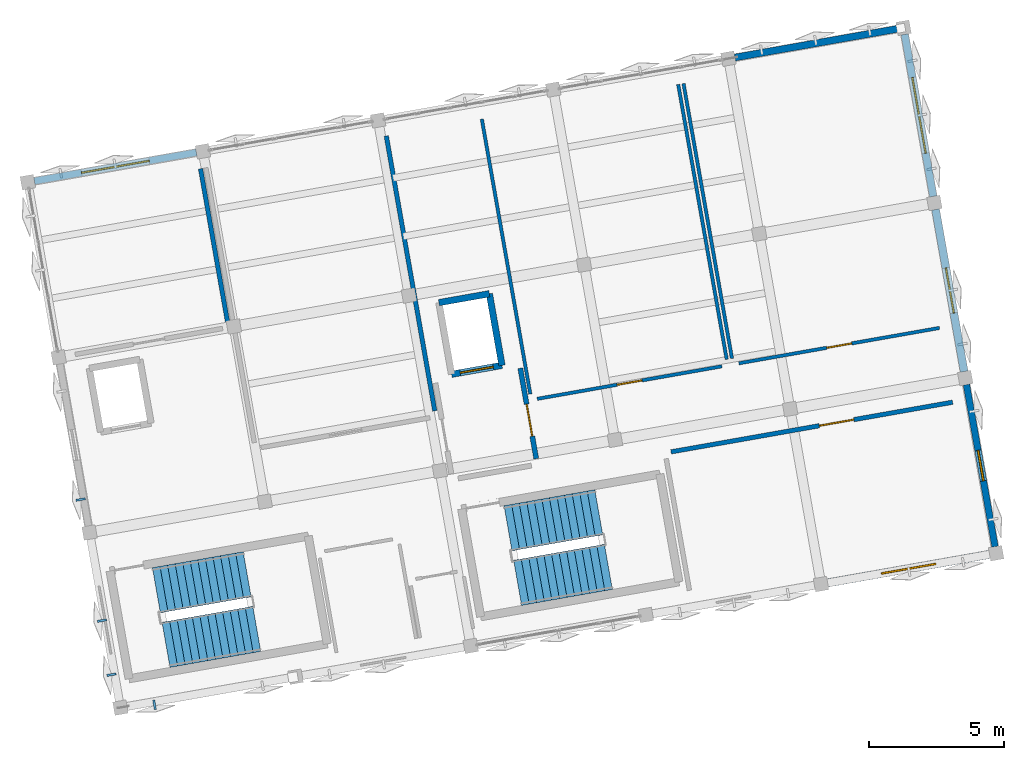
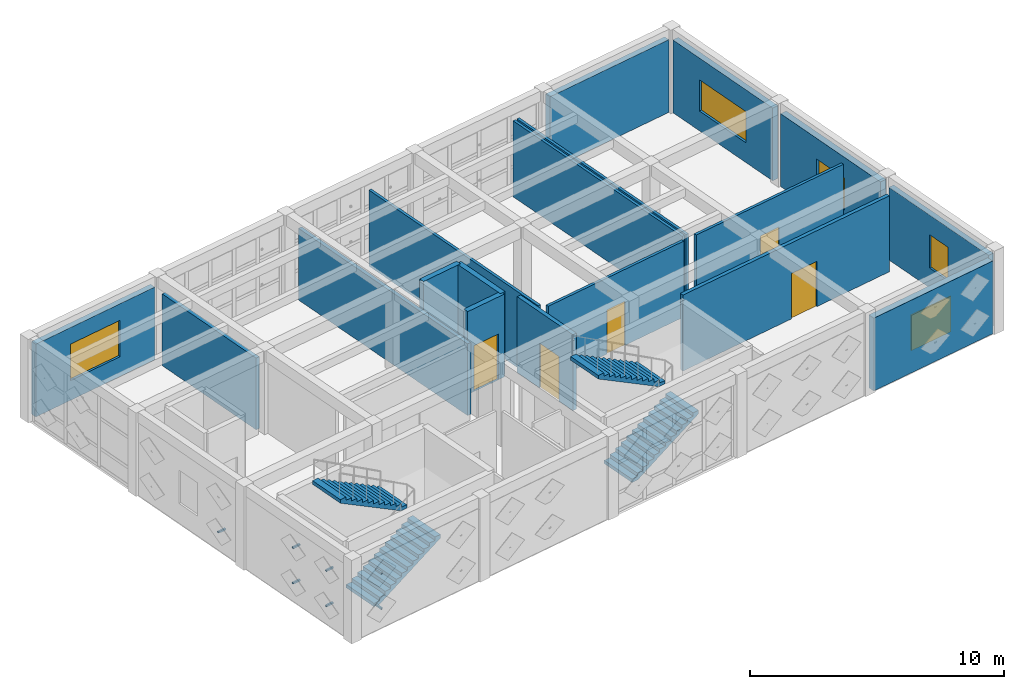
# One storey, part 12 of 15: 18 walls, 7 discrete accessories, 5 doors, 5 windows, 4 stair flights, 10 openings, 2 elements without a shape of their own.
"""IFC4 building model written with IfcOpenShell, lengths in metres."""

from ifc_helpers import new_model, si_unit, direction, frame, frame_2d, origin, origin_2d, place, context, subcontext, project, spatial, polyline, rectangle, hollow_rectangle, outline, extrude, material, layer, layer_set, type_object, element, fill, aggregate, save


model = new_model("IFC4")

# Units and contexts
model_context = context("Model", 3, precision=1e-05, world=origin(), true_north=direction((0.0, 1.0)))
body_context = subcontext(model_context, "Body", "Model", "MODEL_VIEW")
ifc_project = project(units=[si_unit("LENGTHUNIT", "METRE"), si_unit("AREAUNIT", "SQUARE_METRE"), si_unit("VOLUMEUNIT", "CUBIC_METRE"), si_unit("PLANEANGLEUNIT", "RADIAN"), si_unit("MASSUNIT", "GRAM", prefix="KILO")], contexts=[model_context])

# Site, building, storey
site_placement = place(None, origin())
site = spatial("IfcSite", under=ifc_project, at=site_placement, CompositionType="ELEMENT")
building_placement = place(site_placement, origin())
building = spatial("IfcBuilding", under=site, at=building_placement, Name="Kharisveld Research Institute", CompositionType="ELEMENT")
storey_placement = place(building_placement, frame((0.0, 0.0, 40.800048828125)))
storey = spatial("IfcBuildingStorey", under=building, at=storey_placement, Name="L09", CompositionType="ELEMENT", Elevation=40.800048828125)

# Walls
ifc_material_1 = material(Name="Concrete C40/50", Category="concrete")
ifc_layer_1 = layer(ifc_material_1, 0.239990234375)
ifc_layer_set_1 = layer_set([ifc_layer_1], Name="WL_CORE_240")
wall_type_1 = type_object("IfcWallType", Name="WL_CORE_240", PredefinedType="SHEAR", material=ifc_layer_set_1)
wall_1_placement = place(storey_placement, frame((17.01953125, 50.040771484375, 0.0), z_axis=(0.0, 0.0, 1.0), x_axis=(0.984815882103, 0.173602068988, 0.0)))
element("IfcWall", 1, at=wall_1_placement, inside=storey, type_object=wall_type_1, Name="WL:LFT:FFL-01:L09:N", PredefinedType="SHEAR", context=body_context, shape_type="SweptSolid", body=[
    extrude(rectangle(XDim=1.89990234375, YDim=0.239990234375, at=frame_2d((0.949951171875, 0.0))), origin(), (0.0, 0.0, 1.0), 3.97998046875),
])
wall_2_placement = place(storey_placement, frame((18.890625, 50.37060546875, 0.0), z_axis=(0.0, 0.0, 1.0), x_axis=(0.173615102578, -0.98481358447, 0.0)))
element("IfcWall", 2, at=wall_2_placement, inside=storey, type_object=wall_type_1, Name="WL:LFT:FFL-01:L09:E", PredefinedType="SHEAR", context=body_context, shape_type="SweptSolid", body=[
    extrude(rectangle(XDim=2.699951171875, YDim=0.239990234375, at=frame_2d((1.35009765625, 0.0))), origin(), (0.0, 0.0, 1.0), 3.97998046875),
])

# Wall, opening, door
wall_3_placement = place(storey_placement, frame((19.359375, 47.711669921875, 0.0), z_axis=(0.0, 0.0, 1.0), x_axis=(-0.984815882103, -0.173602068988, 0.0)))
wall_3 = element("IfcWall", 3, at=wall_3_placement, inside=storey, type_object=wall_type_1, Name="WL:LFT:FFL-01:L09:S", PredefinedType="SHEAR", context=body_context, shape_type="SweptSolid", body=[
    extrude(rectangle(XDim=1.89990234375, YDim=0.239990234375, at=frame_2d((0.949951171875, 0.0))), origin(), (0.0, 0.0, 1.0), 3.97998046875),
])
opening_1_placement = place(wall_3_placement, frame((0.324951171875, 0.0, 0.0)))
opening_1 = element("IfcOpeningElement", 4, at=opening_1_placement, cuts=wall_3, Name="Opening LD-02", PredefinedType="OPENING", context=body_context, shape_type="SweptSolid", body=[
    extrude(rectangle(XDim=1.25, YDim=2.199951171875, at=frame_2d((0.625, 1.10009765625))), frame((0.0, 0.1201171875, 0.0), z_axis=(0.0, -1.0, 0.0), x_axis=(1.0, 0.0, 0.0)), (0.0, 0.0, 1.0), 0.239990234375),
])
ifc_material_2 = material(Name="Flush Painted Hardwood and Anodised Aluminium", Category="wood")
door_type_1 = type_object("IfcDoorType", Name="DR_LFT_125", OperationType="SLIDING_TO_RIGHT", PredefinedType="DOOR", material=ifc_material_2)
door_1_placement = place(opening_1_placement, origin())
door_1 = element("IfcDoor", 5, at=door_1_placement, inside=storey, type_object=door_type_1, Name="FFL-01 Lift Landing Door L09", OperationType="SLIDING_TO_RIGHT", OverallHeight=2.199951171875, OverallWidth=1.25, PredefinedType="DOOR", context=body_context, shape_type="SweptSolid", body=[
    extrude(rectangle(XDim=1.25, YDim=2.199951171875, at=frame_2d((0.625, 1.10009765625))), frame((0.0, 0.02490234375, 0.0), z_axis=(0.0, -1.0, 0.0), x_axis=(1.0, 0.0, 0.0)), (0.0, 0.0, 1.0), 0.050048828125),
])
fill(opening_1, door_1)

# Wall, opening, window
ifc_material_3 = material(Name="Lightweight Acoustic Spandrel", Category="mineral")
ifc_layer_2 = layer(ifc_material_3, 0.2451171875)
ifc_layer_set_2 = layer_set([ifc_layer_2], Name="WL_EXT_245")
wall_type_2 = type_object("IfcWallType", Name="WL_EXT_245", PredefinedType="STANDARD", material=ifc_layer_set_2)
wall_4_placement = place(storey_placement, frame((36.59521484375, 46.998779296875, 0.0), z_axis=(0.0, 0.0, 1.0), x_axis=(0.173618927794, -0.984812910106, 0.0)))
wall_4 = element("IfcWall", 6, at=wall_4_placement, inside=storey, type_object=wall_type_2, Name="WL:V1:L09:E1", PredefinedType="STANDARD", context=body_context, shape_type="SweptSolid", body=[
    extrude(rectangle(XDim=6.10986328125, YDim=0.2451171875, at=frame_2d((3.054931640625, 0.0))), origin(), (0.0, 0.0, 1.0), 3.494873046875),
])
opening_2_placement = place(wall_4_placement, frame((2.47998046875, 0.0, 0.949951171875)))
opening_2 = element("IfcOpeningElement", 7, at=opening_2_placement, cuts=wall_4, Name="Opening WN-16", PredefinedType="OPENING", context=body_context, shape_type="SweptSolid", body=[
    extrude(rectangle(XDim=1.14990234375, YDim=1.60009765625, at=frame_2d((0.574951171875, 0.800048828125))), frame((0.0, 0.12255859375, 0.0), z_axis=(0.0, -1.0, 0.0), x_axis=(1.0, 0.0, 0.0)), (0.0, 0.0, 1.0), 0.2451171875),
])
ifc_material_4 = material(Name="Low-E Double Glazing", Category="glass")
window_type_1 = type_object("IfcWindowType", Name="WN_16", PartitioningType="SINGLE_PANEL", PredefinedType="WINDOW", material=ifc_material_4)
window_1_placement = place(opening_2_placement, origin())
window_1 = element("IfcWindow", 8, at=window_1_placement, inside=storey, type_object=window_type_1, Name="WN:V1:L09:E1", OverallHeight=1.60009765625, OverallWidth=1.14990234375, PartitioningType="SINGLE_PANEL", PredefinedType="WINDOW", context=body_context, shape_type="SweptSolid", body=[
    extrude(rectangle(XDim=1.14990234375, YDim=1.60009765625, at=frame_2d((0.574951171875, 0.800048828125))), frame((0.0, 0.030029296875, 0.0), z_axis=(0.0, -1.0, 0.0), x_axis=(1.0, 0.0, 0.0)), (0.0, 0.0, 1.0), 0.06005859375),
])
fill(opening_2, window_1)

ifc_material_5 = material(Name="Precast Concrete C40/50 Thermal Wall", Category="concrete")
ifc_layer_3 = layer(ifc_material_5, 0.260009765625)
ifc_layer_set_3 = layer_set([ifc_layer_3], Name="WL_EXT_260")
wall_type_3 = type_object("IfcWallType", Name="WL_EXT_260", PredefinedType="STANDARD", material=ifc_layer_set_3)
wall_5_placement = place(storey_placement, frame((2.0029296875, 54.5517578125, 0.0), z_axis=(0.0, 0.0, 1.0), x_axis=(0.984807282173, 0.173650847905, 0.0)))
wall_5 = element("IfcWall", 9, at=wall_5_placement, inside=storey, type_object=wall_type_3, Name="WL:V1:L09:N0", PredefinedType="STANDARD", context=body_context, shape_type="SweptSolid", body=[
    extrude(rectangle(XDim=6.110107421875, YDim=0.260009765625, at=frame_2d((3.05517578125, 0.0))), origin(), (0.0, 0.0, 1.0), 3.494873046875),
])
opening_3_placement = place(wall_5_placement, frame((1.780029296875, 0.0, 0.949951171875)))
opening_3 = element("IfcOpeningElement", 10, at=opening_3_placement, cuts=wall_5, Name="Opening WN-15", PredefinedType="OPENING", context=body_context, shape_type="SweptSolid", body=[
    extrude(rectangle(XDim=2.550048828125, YDim=1.75, at=frame_2d((1.27490234375, 0.875))), frame((0.0, 0.1298828125, 0.0), z_axis=(0.0, -1.0, 0.0), x_axis=(1.0, 0.0, 0.0)), (0.0, 0.0, 1.0), 0.260009765625),
])
ifc_material_6 = material(Name="Low-E Double Glazing", Category="glass")
window_type_2 = type_object("IfcWindowType", Name="WN_15", PartitioningType="TRIPLE_PANEL_VERTICAL", PredefinedType="WINDOW", material=ifc_material_6)
window_2_placement = place(opening_3_placement, origin())
window_2 = element("IfcWindow", 11, at=window_2_placement, inside=storey, type_object=window_type_2, Name="WN:V1:L09:N0", OverallHeight=1.75, OverallWidth=2.550048828125, PartitioningType="SINGLE_PANEL", PredefinedType="WINDOW", context=body_context, shape_type="SweptSolid", body=[
    extrude(rectangle(XDim=2.550048828125, YDim=1.75, at=frame_2d((1.27490234375, 0.875))), frame((0.0, 0.030029296875, 0.0), z_axis=(0.0, -1.0, 0.0), x_axis=(1.0, 0.0, 0.0)), (0.0, 0.0, 1.0), 0.06005859375),
])
fill(opening_3, window_2)

# Wall
wall_6_placement = place(storey_placement, frame((28.001953125, 59.135986328125, 0.0), z_axis=(0.0, 0.0, 1.0), x_axis=(0.98480607723, 0.173657681232, 0.0)))
element("IfcWall", 12, at=wall_6_placement, inside=storey, type_object=wall_type_3, Name="WL:V1:L09:N4", PredefinedType="STANDARD", context=body_context, shape_type="SweptSolid", body=[
    extrude(rectangle(XDim=6.10986328125, YDim=0.260009765625, at=frame_2d((3.054931640625, 0.0))), origin(), (0.0, 0.0, 1.0), 3.494873046875),
])

# Wall, opening, window
ifc_material_7 = material(Name="Precast Concrete C40/50 Thermal Wall", Category="concrete")
ifc_layer_4 = layer(ifc_material_7, 0.27490234375)
ifc_layer_set_4 = layer_set([ifc_layer_4], Name="WL_EXT_275")
wall_type_4 = type_object("IfcWallType", Name="WL_EXT_275", PredefinedType="STANDARD", material=ifc_layer_set_4)
wall_7_placement = place(storey_placement, frame((34.302978515625, 59.998291015625, 0.0), z_axis=(0.0, 0.0, 1.0), x_axis=(0.173657681232, -0.98480607723, 0.0)))
wall_7 = element("IfcWall", 13, at=wall_7_placement, inside=storey, type_object=wall_type_4, Name="WL:V1:L09:E3", PredefinedType="STANDARD", context=body_context, shape_type="SweptSolid", body=[
    extrude(rectangle(XDim=6.10986328125, YDim=0.27490234375, at=frame_2d((3.054931640625, 0.0))), origin(), (0.0, 0.0, 1.0), 3.494873046875),
])
opening_4_placement = place(wall_7_placement, frame((1.6298828125, 0.0, 0.949951171875)))
opening_4 = element("IfcOpeningElement", 14, at=opening_4_placement, cuts=wall_7, Name="Opening WN-18", PredefinedType="OPENING", context=body_context, shape_type="SweptSolid", body=[
    extrude(rectangle(XDim=2.85009765625, YDim=1.5, at=frame_2d((1.425048828125, 0.75))), frame((0.0, 0.137451171875, 0.0), z_axis=(0.0, -1.0, 0.0), x_axis=(1.0, 0.0, 0.0)), (0.0, 0.0, 1.0), 0.27490234375),
])
ifc_material_8 = material(Name="Low-E Double Glazing", Category="glass")
window_type_3 = type_object("IfcWindowType", Name="WN_18", PartitioningType="TRIPLE_PANEL_VERTICAL", PredefinedType="WINDOW", material=ifc_material_8)
window_3_placement = place(opening_4_placement, origin())
window_3 = element("IfcWindow", 15, at=window_3_placement, inside=storey, type_object=window_type_3, Name="WN:V1:L09:E3", OverallHeight=1.5, OverallWidth=2.85009765625, PartitioningType="SINGLE_PANEL", PredefinedType="WINDOW", context=body_context, shape_type="SweptSolid", body=[
    extrude(rectangle(XDim=2.85009765625, YDim=1.5, at=frame_2d((1.425048828125, 0.75))), frame((0.0, 0.030029296875, 0.0), z_axis=(0.0, -1.0, 0.0), x_axis=(1.0, 0.0, 0.0)), (0.0, 0.0, 1.0), 0.06005859375),
])
fill(opening_4, window_3)

ifc_material_9 = material(Name="Precast Concrete C40/50 Thermal Wall", Category="concrete")
ifc_layer_5 = layer(ifc_material_9, 0.2900390625)
ifc_layer_set_5 = layer_set([ifc_layer_5], Name="WL_EXT_290")
wall_type_5 = type_object("IfcWallType", Name="WL_EXT_290", PredefinedType="STANDARD", material=ifc_layer_set_5)
wall_8_placement = place(storey_placement, frame((35.448974609375, 53.49853515625, 0.0), z_axis=(0.0, 0.0, 1.0), x_axis=(0.173657681232, -0.98480607723, 0.0)))
wall_8 = element("IfcWall", 16, at=wall_8_placement, inside=storey, type_object=wall_type_5, Name="WL:V1:L09:E2", PredefinedType="STANDARD", context=body_context, shape_type="SweptSolid", body=[
    extrude(rectangle(XDim=6.10986328125, YDim=0.2900390625, at=frame_2d((3.054931640625, 0.0))), origin(), (0.0, 0.0, 1.0), 3.494873046875),
])
opening_5_placement = place(wall_8_placement, frame((2.205078125, 0.0, 0.949951171875)))
opening_5 = element("IfcOpeningElement", 17, at=opening_5_placement, cuts=wall_8, Name="Opening WN-17", PredefinedType="OPENING", context=body_context, shape_type="SweptSolid", body=[
    extrude(rectangle(XDim=1.699951171875, YDim=1.550048828125, at=frame_2d((0.85009765625, 0.77490234375))), frame((0.0, 0.14501953125, 0.0), z_axis=(0.0, -1.0, 0.0), x_axis=(1.0, 0.0, 0.0)), (0.0, 0.0, 1.0), 0.2900390625),
])
ifc_material_10 = material(Name="Low-E Double Glazing", Category="glass")
window_type_4 = type_object("IfcWindowType", Name="WN_17", PartitioningType="DOUBLE_PANEL_VERTICAL", PredefinedType="WINDOW", material=ifc_material_10)
window_4_placement = place(opening_5_placement, origin())
window_4 = element("IfcWindow", 18, at=window_4_placement, inside=storey, type_object=window_type_4, Name="WN:V1:L09:E2", OverallHeight=1.550048828125, OverallWidth=1.699951171875, PartitioningType="SINGLE_PANEL", PredefinedType="WINDOW", context=body_context, shape_type="SweptSolid", body=[
    extrude(rectangle(XDim=1.699951171875, YDim=1.550048828125, at=frame_2d((0.85009765625, 0.77490234375))), frame((0.0, 0.030029296875, 0.0), z_axis=(0.0, -1.0, 0.0), x_axis=(1.0, 0.0, 0.0)), (0.0, 0.0, 1.0), 0.06005859375),
])
fill(opening_5, window_4)

ifc_material_11 = material(Name="Precast Concrete C40/50 Ochre Panel", Category="concrete")
ifc_layer_6 = layer(ifc_material_11, 0.304931640625)
ifc_layer_set_6 = layer_set([ifc_layer_6], Name="WL_EXT_305")
wall_type_6 = type_object("IfcWallType", Name="WL_EXT_305", PredefinedType="STANDARD", material=ifc_layer_set_6)
wall_9_placement = place(storey_placement, frame((37.457275390625, 40.69775390625, 0.0), z_axis=(0.0, 0.0, 1.0), x_axis=(-0.984812910106, -0.173618927794, 0.0)))
wall_9 = element("IfcWall", 19, at=wall_9_placement, inside=storey, type_object=wall_type_6, Name="WL:V1:L09:S5", PredefinedType="STANDARD", context=body_context, shape_type="SweptSolid", body=[
    extrude(rectangle(XDim=6.10986328125, YDim=0.304931640625, at=frame_2d((3.054931640625, 0.0))), origin(), (0.0, 0.0, 1.0), 3.494873046875),
])
opening_6_placement = place(wall_9_placement, frame((2.030029296875, 0.0, 0.949951171875)))
opening_6 = element("IfcOpeningElement", 20, at=opening_6_placement, cuts=wall_9, Name="Opening WN-20", PredefinedType="OPENING", context=body_context, shape_type="SweptSolid", body=[
    extrude(rectangle(XDim=2.050048828125, YDim=1.699951171875, at=frame_2d((1.02490234375, 0.85009765625))), frame((0.0, 0.15234375, 0.0), z_axis=(0.0, -1.0, 0.0), x_axis=(1.0, 0.0, 0.0)), (0.0, 0.0, 1.0), 0.304931640625),
])
ifc_material_12 = material(Name="Low-E Double Glazing", Category="glass")
window_type_5 = type_object("IfcWindowType", Name="WN_20", PartitioningType="DOUBLE_PANEL_VERTICAL", PredefinedType="WINDOW", material=ifc_material_12)
window_5_placement = place(opening_6_placement, origin())
window_5 = element("IfcWindow", 21, at=window_5_placement, inside=storey, type_object=window_type_5, Name="WN:V1:L09:S5", OverallHeight=1.699951171875, OverallWidth=2.050048828125, PartitioningType="SINGLE_PANEL", PredefinedType="WINDOW", context=body_context, shape_type="SweptSolid", body=[
    extrude(rectangle(XDim=2.050048828125, YDim=1.699951171875, at=frame_2d((1.02490234375, 0.85009765625))), frame((0.0, 0.030029296875, 0.0), z_axis=(0.0, -1.0, 0.0), x_axis=(1.0, 0.0, 0.0)), (0.0, 0.0, 1.0), 0.06005859375),
])
fill(opening_6, window_5)

# Walls
ifc_material_13 = material(Name="Acoustic Drywall Partition", Category="mineral")
ifc_layer_7 = layer(ifc_material_13, 0.1650390625)
ifc_layer_set_7 = layer_set([ifc_layer_7], Name="WL_LAB_165")
wall_type_7 = type_object("IfcWallType", Name="WL_LAB_165", PredefinedType="PARTITIONING", material=ifc_layer_set_7)
wall_10_placement = place(storey_placement, frame((9.17236328125, 49.33740234375, 0.0), z_axis=(0.0, 0.0, 1.0), x_axis=(-0.173649928941, 0.984807444214, 0.0)))
element("IfcWall", 22, at=wall_10_placement, inside=storey, type_object=wall_type_7, Name="WL:RM:V1:L09:NW9:E", PredefinedType="PARTITIONING", context=body_context, shape_type="SweptSolid", body=[
    extrude(rectangle(XDim=5.760009765625, YDim=0.1650390625, at=frame_2d((2.8798828125, 0.0))), origin(), (0.0, 0.0, 1.0), 3.445068359375),
])
wall_11_placement = place(storey_placement, frame((16.86474609375, 46.02294921875, 0.0), z_axis=(0.0, 0.0, 1.0), x_axis=(-0.173632075677, 0.984810592092, 0.0)))
element("IfcWall", 23, at=wall_11_placement, inside=storey, type_object=wall_type_7, Name="WL:RM:V1:L09:DL9A:E", PredefinedType="PARTITIONING", context=body_context, shape_type="SweptSolid", body=[
    extrude(rectangle(XDim=10.360107421875, YDim=0.1650390625, at=frame_2d((5.18017578125, 0.0))), origin(), (0.0, 0.0, 1.0), 3.445068359375),
])

# Wall, opening, door
wall_12_placement = place(storey_placement, frame((36.080810546875, 46.3447265625, 0.0), z_axis=(0.0, 0.0, 1.0), x_axis=(-0.984805557657, -0.173660627684, 0.0)))
wall_12 = element("IfcWall", 24, at=wall_12_placement, inside=storey, type_object=wall_type_7, Name="WL:RM:V1:L09:SEM9:N", PredefinedType="PARTITIONING", context=body_context, shape_type="SweptSolid", body=[
    extrude(rectangle(XDim=10.60986328125, YDim=0.1650390625, at=frame_2d((5.304931640625, 0.0))), origin(), (0.0, 0.0, 1.0), 3.64990234375),
])
opening_7_placement = place(wall_12_placement, frame((3.72412109375, 0.0, 0.0)))
opening_7 = element("IfcOpeningElement", 25, at=opening_7_placement, cuts=wall_12, Name="Opening DI-158", PredefinedType="OPENING", context=body_context, shape_type="SweptSolid", body=[
    extrude(rectangle(XDim=1.300048828125, YDim=2.179931640625, at=frame_2d((0.64990234375, 1.08984375))), frame((0.0, 0.08251953125, 0.0), z_axis=(0.0, -1.0, 0.0), x_axis=(1.0, 0.0, 0.0)), (0.0, 0.0, 1.0), 0.1650390625),
])
ifc_material_14 = material(Name="Flush Painted Hardwood and Anodised Aluminium", Category="wood")
door_type_2 = type_object("IfcDoorType", Name="DR_SEM_130", OperationType="DOUBLE_DOOR_SINGLE_SWING", PredefinedType="DOOR", material=ifc_material_14)
door_2_placement = place(opening_7_placement, origin())
door_2 = element("IfcDoor", 26, at=door_2_placement, inside=storey, type_object=door_type_2, Name="DR:RM:V1:L09:SEM9:N", OperationType="DOUBLE_DOOR_SINGLE_SWING", OverallHeight=2.179931640625, OverallWidth=1.300048828125, PredefinedType="DOOR", context=body_context, shape_type="SweptSolid", body=[
    extrude(rectangle(XDim=1.300048828125, YDim=2.179931640625, at=frame_2d((0.64990234375, 1.08984375))), frame((0.0, 0.02490234375, 0.0), z_axis=(0.0, -1.0, 0.0), x_axis=(1.0, 0.0, 0.0)), (0.0, 0.0, 1.0), 0.050048828125),
])
fill(opening_7, door_2)

ifc_material_15 = material(Name="Masonry Blockwork", Category="masonry")
ifc_layer_8 = layer(ifc_material_15, 0.18505859375)
ifc_layer_set_8 = layer_set([ifc_layer_8], Name="WL_LOB_185")
wall_type_8 = type_object("IfcWallType", Name="WL_LOB_185", PredefinedType="SOLIDWALL", material=ifc_layer_set_8)
wall_13_placement = place(storey_placement, frame((20.6298828125, 44.249755859375, 0.0), z_axis=(0.0, 0.0, 1.0), x_axis=(-0.173621956536, 0.984812376145, 0.0)))
wall_13 = element("IfcWall", 27, at=wall_13_placement, inside=storey, type_object=wall_type_8, Name="WL:RM:V1:L09:FFL:E", PredefinedType="SOLIDWALL", context=body_context, shape_type="SweptSolid", body=[
    extrude(rectangle(XDim=3.409912109375, YDim=0.18505859375, at=frame_2d((1.705078125, 0.0))), origin(), (0.0, 0.0, 1.0), 3.64990234375),
])
opening_8_placement = place(wall_13_placement, frame((0.85009765625, 0.0, 0.0)))
opening_8 = element("IfcOpeningElement", 28, at=opening_8_placement, cuts=wall_13, Name="Opening DI-150", PredefinedType="OPENING", context=body_context, shape_type="SweptSolid", body=[
    extrude(rectangle(XDim=1.199951171875, YDim=2.14990234375, at=frame_2d((0.60009765625, 1.074951171875))), frame((0.0, 0.092529296875, 0.0), z_axis=(0.0, -1.0, 0.0), x_axis=(1.0, 0.0, 0.0)), (0.0, 0.0, 1.0), 0.18505859375),
])
ifc_material_16 = material(Name="Flush Painted Hardwood and Anodised Aluminium", Category="wood")
door_type_3 = type_object("IfcDoorType", Name="DR_FD120_120", OperationType="NOTDEFINED", PredefinedType="DOOR", material=ifc_material_16)
door_3_placement = place(opening_8_placement, origin())
door_3 = element("IfcDoor", 29, at=door_3_placement, inside=storey, type_object=door_type_3, Name="DR:RM:V1:L09:FFL:E", OperationType="SINGLE_SWING_RIGHT", OverallHeight=2.14990234375, OverallWidth=1.199951171875, PredefinedType="DOOR", context=body_context, shape_type="SweptSolid", body=[
    extrude(rectangle(XDim=1.199951171875, YDim=2.14990234375, at=frame_2d((0.60009765625, 1.074951171875))), frame((0.0, 0.02490234375, 0.0), z_axis=(0.0, -1.0, 0.0), x_axis=(1.0, 0.0, 0.0)), (0.0, 0.0, 1.0), 0.050048828125),
])
fill(opening_8, door_3)

ifc_material_17 = material(Name="Insulated Stud Partition", Category="mineral")
ifc_layer_9 = layer(ifc_material_17, 0.125)
ifc_layer_set_9 = layer_set([ifc_layer_9], Name="WL_OFF_125")
wall_type_9 = type_object("IfcWallType", Name="WL_OFF_125", PredefinedType="PARTITIONING", material=ifc_layer_set_9)
wall_14_placement = place(storey_placement, frame((20.6650390625, 46.469482421875, 0.0), z_axis=(0.0, 0.0, 1.0), x_axis=(0.984804033539, 0.173669270527, 0.0)))
wall_14 = element("IfcWall", 30, at=wall_14_placement, inside=storey, type_object=wall_type_9, Name="WL:RM:V1:L09:WU9A:S", PredefinedType="PARTITIONING", context=body_context, shape_type="SweptSolid", body=[
    extrude(rectangle(XDim=6.9599609375, YDim=0.125, at=frame_2d((3.47998046875, 0.0))), origin(), (0.0, 0.0, 1.0), 3.64990234375),
])
opening_9_placement = place(wall_14_placement, frame((3.010009765625, 0.0, 0.0)))
opening_9 = element("IfcOpeningElement", 31, at=opening_9_placement, cuts=wall_14, Name="Opening DI-156", PredefinedType="OPENING", context=body_context, shape_type="SweptSolid", body=[
    extrude(rectangle(XDim=0.93994140625, YDim=2.1201171875, at=frame_2d((0.469970703125, 1.06005859375))), frame((0.0, 0.0625, 0.0), z_axis=(0.0, -1.0, 0.0), x_axis=(1.0, 0.0, 0.0)), (0.0, 0.0, 1.0), 0.125),
])
ifc_material_18 = material(Name="Flush Painted Hardwood and Anodised Aluminium", Category="wood")
door_type_4 = type_object("IfcDoorType", Name="DR_OFF_094", OperationType="NOTDEFINED", PredefinedType="DOOR", material=ifc_material_18)
door_4_placement = place(opening_9_placement, origin())
door_4 = element("IfcDoor", 32, at=door_4_placement, inside=storey, type_object=door_type_4, Name="DR:RM:V1:L09:WU9A:S", OperationType="SINGLE_SWING_RIGHT", OverallHeight=2.1201171875, OverallWidth=0.93994140625, PredefinedType="DOOR", context=body_context, shape_type="SweptSolid", body=[
    extrude(rectangle(XDim=0.93994140625, YDim=2.1201171875, at=frame_2d((0.469970703125, 1.06005859375))), frame((0.0, 0.02490234375, 0.0), z_axis=(0.0, -1.0, 0.0), x_axis=(1.0, 0.0, 0.0)), (0.0, 0.0, 1.0), 0.050048828125),
])
fill(opening_9, door_4)

# Walls
for number, where, z_axis, x_axis, name in (
    (33, (27.69775390625, 47.93310546875, 0.0), (0.0, 0.0, 1.0), (-0.173654930775, 0.984806562233, 0.0), "WL:RM:V1:L09:WU9A:E"),
    (34, (18.611083984375, 56.8505859375, 0.0), (0.0, 0.0, 1.0), (0.173654930775, -0.984806562233, 0.0), "WL:RM:V1:L09:WU9A:W"),
):
    element("IfcWall", number, at=place(storey_placement, frame(where, z_axis=z_axis, x_axis=x_axis)), inside=storey, type_object=wall_type_9, Name=name, PredefinedType="PARTITIONING", context=body_context, shape_type="SweptSolid", body=[
        extrude(rectangle(XDim=10.360107421875, YDim=0.125, at=frame_2d((5.18017578125, 0.0))), origin(), (0.0, 0.0, 1.0), 3.64990234375),
    ])

# Wall, opening, door
wall_15_placement = place(storey_placement, frame((28.149658203125, 47.789306640625, 0.0), z_axis=(0.0, 0.0, 1.0), x_axis=(0.984808257094, 0.173645318852, 0.0)))
wall_15 = element("IfcWall", 35, at=wall_15_placement, inside=storey, type_object=wall_type_9, Name="WL:RM:V1:L09:PIO9:S", PredefinedType="PARTITIONING", context=body_context, shape_type="SweptSolid", body=[
    extrude(rectangle(XDim=7.559814453125, YDim=0.125, at=frame_2d((3.77978515625, 0.0))), origin(), (0.0, 0.0, 1.0), 3.64990234375),
])
opening_10_placement = place(wall_15_placement, frame((3.31005859375, 0.0, 0.0)))
opening_10 = element("IfcOpeningElement", 36, at=opening_10_placement, cuts=wall_15, Name="Opening DI-157", PredefinedType="OPENING", context=body_context, shape_type="SweptSolid", body=[
    extrude(rectangle(XDim=0.93994140625, YDim=2.1201171875, at=frame_2d((0.469970703125, 1.06005859375))), frame((0.0, 0.0625, 0.0), z_axis=(0.0, -1.0, 0.0), x_axis=(1.0, 0.0, 0.0)), (0.0, 0.0, 1.0), 0.125),
])
door_5_placement = place(opening_10_placement, origin())
door_5 = element("IfcDoor", 37, at=door_5_placement, inside=storey, type_object=door_type_4, Name="DR:RM:V1:L09:PIO9:S", OperationType="SINGLE_SWING_LEFT", OverallHeight=2.1201171875, OverallWidth=0.93994140625, PredefinedType="DOOR", context=body_context, shape_type="SweptSolid", body=[
    extrude(rectangle(XDim=0.93994140625, YDim=2.1201171875, at=frame_2d((0.469970703125, 1.06005859375))), frame((0.0, 0.02490234375, 0.0), z_axis=(0.0, -1.0, 0.0), x_axis=(1.0, 0.0, 0.0)), (0.0, 0.0, 1.0), 0.050048828125),
])
fill(opening_10, door_5)

# Wall
wall_16_placement = place(storey_placement, frame((26.095703125, 58.17041015625, 0.0), z_axis=(0.0, 0.0, 1.0), x_axis=(0.173654930775, -0.984806562233, 0.0)))
element("IfcWall", 38, at=wall_16_placement, inside=storey, type_object=wall_type_9, Name="WL:RM:V1:L09:PIO9:W", PredefinedType="PARTITIONING", context=body_context, shape_type="SweptSolid", body=[
    extrude(rectangle(XDim=10.360107421875, YDim=0.125, at=frame_2d((5.18017578125, 0.0))), origin(), (0.0, 0.0, 1.0), 3.64990234375),
])

# Stair, stair flights
ifc_material_19 = material(Name="Concrete C40/50", Category="concrete")
stair_type = type_object("IfcStairType", Name="ST_EXIT_170", PredefinedType="TWO_STRAIGHT_RUN_STAIR", material=ifc_material_19)
stair_1_placement = place(storey_placement, origin())
stair_1 = element("IfcStair", 39, at=stair_1_placement, inside=storey, type_object=stair_type, Name="STR:ST1:L09", PredefinedType="TWO_STRAIGHT_RUN_STAIR")
ifc_material_20 = material(Name="Concrete C40/50", Category="concrete")
stair_flight_type = type_object("IfcStairFlightType", Name="SF_RUN_170", PredefinedType="STRAIGHT", material=ifc_material_20)
stair_flight_1_placement = place(storey_placement, frame((6.891357421875, 37.339111328125, 0.0), z_axis=(0.0, 0.0, 1.0), x_axis=(0.984807753012, 0.173648177667, 0.0)))
stair_flight_1 = element("IfcStairFlight", 40, at=stair_flight_1_placement, type_object=stair_flight_type, Name="ST-01 flight 1", NumberOfRisers=13, NumberOfTreads=12, PredefinedType="STRAIGHT", RiserHeight=0.161538, TreadLength=0.285, context=body_context, shape_type="SweptSolid", body=[
    extrude(outline(polyline([(0.0, 0.0), (0.0, 0.16162109375), (0.284912109375, 0.16162109375), (0.284912109375, 0.322998046875), (0.570068359375, 0.322998046875), (0.570068359375, 0.484619140625), (0.85498046875, 0.484619140625), (0.85498046875, 0.646240234375), (1.139892578125, 0.646240234375), (1.139892578125, 0.8076171875), (1.425048828125, 0.8076171875), (1.425048828125, 0.96923828125), (1.7099609375, 0.96923828125), (1.7099609375, 1.130859375), (1.9951171875, 1.130859375), (1.9951171875, 1.292236328125), (2.280029296875, 1.292236328125), (2.280029296875, 1.453857421875), (2.56494140625, 1.453857421875), (2.56494140625, 1.615478515625), (2.85009765625, 1.615478515625), (2.85009765625, 1.77685546875), (3.135009765625, 1.77685546875), (3.135009765625, 1.9384765625), (3.419921875, 1.9384765625), (3.419921875, 2.10009765625), (3.419921875, 1.76611328125), (0.303955078125, 0.0), (0.0, 0.0)])), frame((0.0, 0.85009765625, 0.0), z_axis=(0.0, -1.0, 0.0), x_axis=(1.0, 0.0, 0.0)), (0.0, 0.0, 1.0), 1.699951171875),
])
stair_flight_2_placement = place(storey_placement, frame((9.901611328125, 39.961669921875, 2.099853515625), z_axis=(0.0, 0.0, 1.0), x_axis=(-0.984807753012, -0.173648177667, 0.0)))
stair_flight_2 = element("IfcStairFlight", 41, at=stair_flight_2_placement, type_object=stair_flight_type, Name="ST-01 flight 2", NumberOfRisers=13, NumberOfTreads=12, PredefinedType="STRAIGHT", RiserHeight=0.161538, TreadLength=0.285, context=body_context, shape_type="SweptSolid", body=[
    extrude(outline(polyline([(0.0, 0.0), (0.0, 0.16162109375), (0.284912109375, 0.16162109375), (0.284912109375, 0.322998046875), (0.570068359375, 0.322998046875), (0.570068359375, 0.484619140625), (0.85498046875, 0.484619140625), (0.85498046875, 0.646240234375), (1.139892578125, 0.646240234375), (1.139892578125, 0.8076171875), (1.425048828125, 0.8076171875), (1.425048828125, 0.96923828125), (1.7099609375, 0.96923828125), (1.7099609375, 1.130859375), (1.9951171875, 1.130859375), (1.9951171875, 1.292236328125), (2.280029296875, 1.292236328125), (2.280029296875, 1.453857421875), (2.56494140625, 1.453857421875), (2.56494140625, 1.615478515625), (2.85009765625, 1.615478515625), (2.85009765625, 1.77685546875), (3.135009765625, 1.77685546875), (3.135009765625, 1.9384765625), (3.419921875, 1.9384765625), (3.419921875, 2.10009765625), (3.419921875, 1.76611328125), (0.303955078125, 0.0), (0.0, 0.0)])), frame((0.0, 0.85009765625, 0.0), z_axis=(0.0, -1.0, 0.0), x_axis=(1.0, 0.0, 0.0)), (0.0, 0.0, 1.0), 1.699951171875),
])
aggregate(stair_1, [stair_flight_1, stair_flight_2])

stair_2_placement = place(storey_placement, origin())
stair_2 = element("IfcStair", 42, at=stair_2_placement, inside=storey, type_object=stair_type, Name="STR:ST2:L09", PredefinedType="TWO_STRAIGHT_RUN_STAIR")
stair_flight_3_placement = place(storey_placement, frame((19.93994140625, 39.639892578125, 0.0), z_axis=(0.0, 0.0, 1.0), x_axis=(0.984807753012, 0.173648177667, 0.0)))
stair_flight_3 = element("IfcStairFlight", 43, at=stair_flight_3_placement, type_object=stair_flight_type, Name="ST-02 flight 1", NumberOfRisers=13, NumberOfTreads=12, PredefinedType="STRAIGHT", RiserHeight=0.161538, TreadLength=0.285, context=body_context, shape_type="SweptSolid", body=[
    extrude(outline(polyline([(0.0, 0.0), (0.0, 0.16162109375), (0.284912109375, 0.16162109375), (0.284912109375, 0.322998046875), (0.570068359375, 0.322998046875), (0.570068359375, 0.484619140625), (0.85498046875, 0.484619140625), (0.85498046875, 0.646240234375), (1.139892578125, 0.646240234375), (1.139892578125, 0.8076171875), (1.425048828125, 0.8076171875), (1.425048828125, 0.96923828125), (1.7099609375, 0.96923828125), (1.7099609375, 1.130859375), (1.9951171875, 1.130859375), (1.9951171875, 1.292236328125), (2.280029296875, 1.292236328125), (2.280029296875, 1.453857421875), (2.56494140625, 1.453857421875), (2.56494140625, 1.615478515625), (2.85009765625, 1.615478515625), (2.85009765625, 1.77685546875), (3.135009765625, 1.77685546875), (3.135009765625, 1.9384765625), (3.419921875, 1.9384765625), (3.419921875, 2.10009765625), (3.419921875, 1.76611328125), (0.303955078125, 0.0), (0.0, 0.0)])), frame((0.0, 0.85009765625, 0.0), z_axis=(0.0, -1.0, 0.0), x_axis=(1.0, 0.0, 0.0)), (0.0, 0.0, 1.0), 1.699951171875),
])
stair_flight_4_placement = place(storey_placement, frame((22.9501953125, 42.262451171875, 2.099853515625), z_axis=(0.0, 0.0, 1.0), x_axis=(-0.984807753012, -0.173648177667, 0.0)))
stair_flight_4 = element("IfcStairFlight", 44, at=stair_flight_4_placement, type_object=stair_flight_type, Name="ST-02 flight 2", NumberOfRisers=13, NumberOfTreads=12, PredefinedType="STRAIGHT", RiserHeight=0.161538, TreadLength=0.285, context=body_context, shape_type="SweptSolid", body=[
    extrude(outline(polyline([(0.0, 0.0), (0.0, 0.16162109375), (0.284912109375, 0.16162109375), (0.284912109375, 0.322998046875), (0.570068359375, 0.322998046875), (0.570068359375, 0.484619140625), (0.85498046875, 0.484619140625), (0.85498046875, 0.646240234375), (1.139892578125, 0.646240234375), (1.139892578125, 0.8076171875), (1.425048828125, 0.8076171875), (1.425048828125, 0.96923828125), (1.7099609375, 0.96923828125), (1.7099609375, 1.130859375), (1.9951171875, 1.130859375), (1.9951171875, 1.292236328125), (2.280029296875, 1.292236328125), (2.280029296875, 1.453857421875), (2.56494140625, 1.453857421875), (2.56494140625, 1.615478515625), (2.85009765625, 1.615478515625), (2.85009765625, 1.77685546875), (3.135009765625, 1.77685546875), (3.135009765625, 1.9384765625), (3.419921875, 1.9384765625), (3.419921875, 2.10009765625), (3.419921875, 1.76611328125), (0.303955078125, 0.0), (0.0, 0.0)])), frame((0.0, 0.85009765625, 0.0), z_axis=(0.0, -1.0, 0.0), x_axis=(1.0, 0.0, 0.0)), (0.0, 0.0, 1.0), 1.699951171875),
])
aggregate(stair_2, [stair_flight_3, stair_flight_4])

# Discrete accessories
ifc_material_21 = material(Name="Steel S355JR", Category="steel")
discrete_accessory_type = type_object("IfcDiscreteAccessoryType", Name="BKT_ST_260", PredefinedType="BRACKET")
for number, where, z_axis, x_axis, name in (
    (45, (5.039794921875, 36.2646484375, 1.050048828125), (-0.984804615622, -0.173665969752, 0.0), (0.173665969752, -0.984804615622, 0.0), "BKT-SHD:V1:L09:W0:S0C0"),
    (46, (5.039794921875, 36.2646484375, 2.75), (-0.984804615622, -0.173665969752, 0.0), (0.173665969752, -0.984804615622, 0.0), "BKT-SHD:V1:L09:W0:S0C1"),
    (47, (4.68603515625, 38.270263671875, 1.050048828125), (-0.984804615622, -0.173665969752, 0.0), (0.173665969752, -0.984804615622, 0.0), "BKT-SHD:V1:L09:W0:S1C0"),
    (48, (4.68603515625, 38.270263671875, 2.75), (-0.984804615622, -0.173665969752, 0.0), (0.173665969752, -0.984804615622, 0.0), "BKT-SHD:V1:L09:W0:S1C1"),
):
    element("IfcDiscreteAccessory", number, at=place(storey_placement, frame(where, z_axis=z_axis, x_axis=x_axis)), inside=storey, type_object=discrete_accessory_type, material=ifc_material_21, Name=name, ObjectType="BRACKET", PredefinedType="BRACKET", context=body_context, shape_type="SweptSolid", body=[
        extrude(hollow_rectangle(XDim=0.080078125, YDim=0.080078125, WallThickness=0.0048828125, at=origin_2d()), origin(), (0.0, 0.0, 1.0), 0.35009765625),
    ])
discrete_accessory_placement = place(storey_placement, frame((3.8935546875, 42.764404296875, 1.050048828125), z_axis=(-0.984783558818, -0.173785333909, 0.0), x_axis=(0.173785333909, -0.984783558818, 0.0)))
element("IfcDiscreteAccessory", 49, at=discrete_accessory_placement, inside=storey, type_object=discrete_accessory_type, material=ifc_material_21, Name="BKT-SHD:V1:L09:W1:S0C0", ObjectType="BRACKET", PredefinedType="BRACKET", context=body_context, shape_type="SweptSolid", body=[
    extrude(hollow_rectangle(XDim=0.080078125, YDim=0.080078125, WallThickness=0.0048828125, at=origin_2d()), origin(), (0.0, 0.0, 1.0), 0.349853515625),
])
for number, where, z_axis, x_axis, name in (
    (50, (6.433837890625, 35.28857421875, 1.050048828125), (0.172989428414, -0.984923681133, 0.0), (0.984923681133, 0.172989428414, 0.0), "BKT-SHD:V1:L09:S1:S2C0"),
    (51, (6.433837890625, 35.28857421875, 2.75), (0.172989428414, -0.984923681133, 0.0), (0.984923681133, 0.172989428414, 0.0), "BKT-SHD:V1:L09:S1:S2C1"),
):
    element("IfcDiscreteAccessory", number, at=place(storey_placement, frame(where, z_axis=z_axis, x_axis=x_axis)), inside=storey, type_object=discrete_accessory_type, material=ifc_material_21, Name=name, ObjectType="BRACKET", PredefinedType="BRACKET", context=body_context, shape_type="SweptSolid", body=[
        extrude(hollow_rectangle(XDim=0.080078125, YDim=0.080078125, WallThickness=0.0048828125, at=origin_2d()), origin(), (0.0, 0.0, 1.0), 0.35009765625),
    ])

save(model, "model.ifc")
